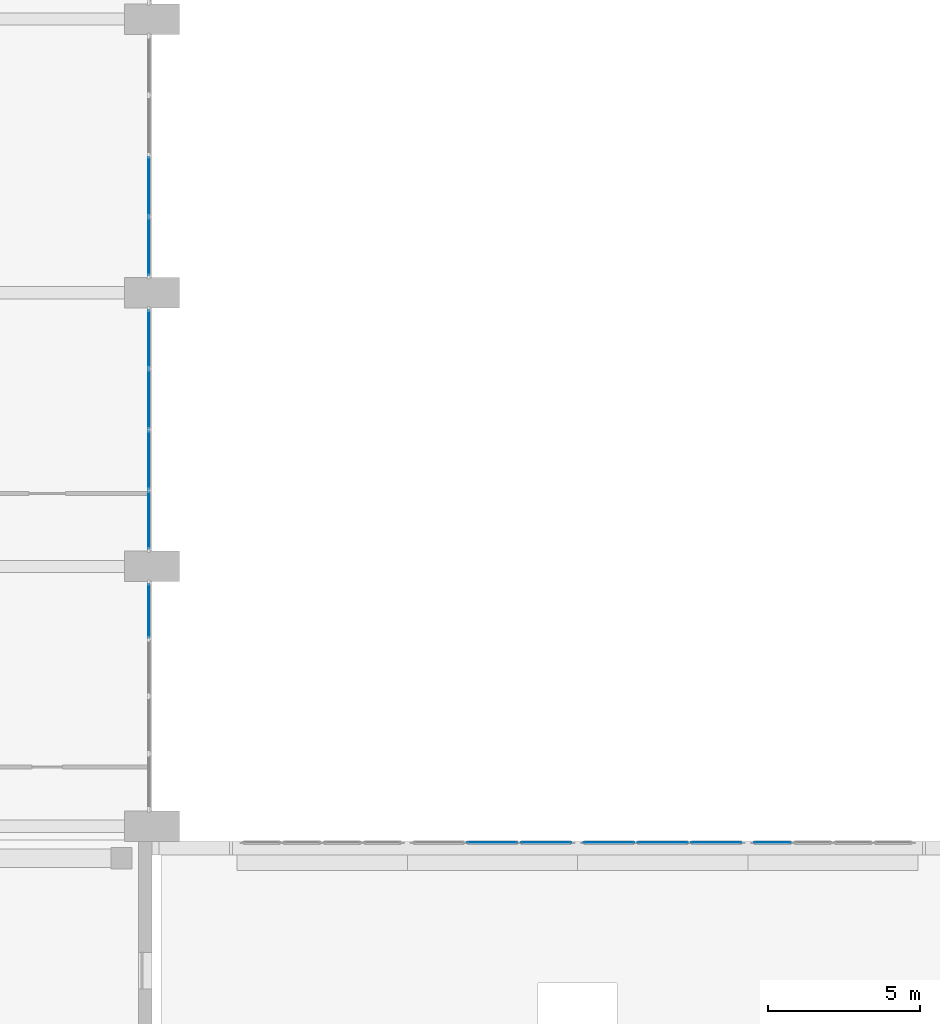
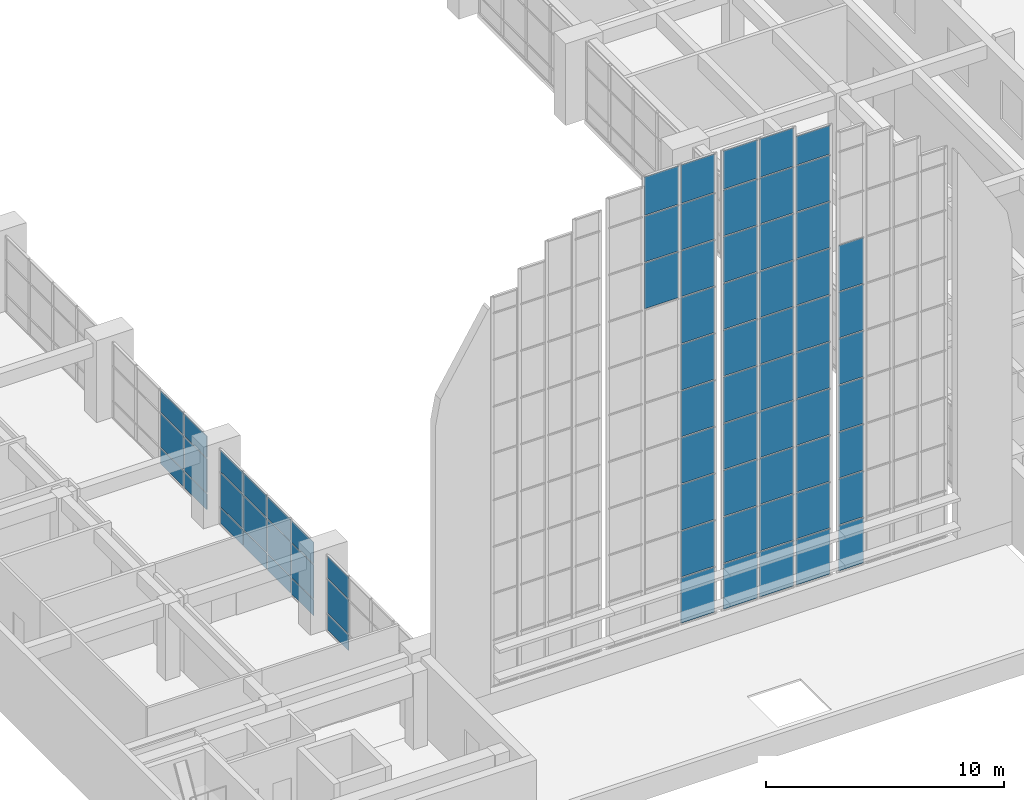
# One storey, part 19 of 45: 71 plates, 9 elements without a shape of their own.
"""IFC4 building model written with IfcOpenShell, lengths in metres."""

from ifc_helpers import new_model, si_unit, direction, frame, origin, origin_2d, place, context, subcontext, project, spatial, rectangle, extrude, material, layer, layer_set, type_object, element, aggregate, save


model = new_model("IFC4")

# Units and contexts
model_context = context("Model", 3, precision=1e-05, world=origin(), true_north=direction((0.0, 1.0)))
body_context = subcontext(model_context, "Body", "Model", "MODEL_VIEW")
ifc_project = project(units=[si_unit("LENGTHUNIT", "METRE"), si_unit("AREAUNIT", "SQUARE_METRE"), si_unit("VOLUMEUNIT", "CUBIC_METRE"), si_unit("PLANEANGLEUNIT", "RADIAN"), si_unit("MASSUNIT", "GRAM", prefix="KILO")], contexts=[model_context])

# Site, building, storey
site_placement = place(None, origin())
site = spatial("IfcSite", under=ifc_project, at=site_placement, CompositionType="ELEMENT")
building_placement = place(site_placement, origin())
building = spatial("IfcBuilding", under=site, at=building_placement, Name="Elmora Arch Market Hall", CompositionType="ELEMENT")
storey_placement = place(building_placement, frame((0.0, 0.0, 6.0)))
storey = spatial("IfcBuildingStorey", under=building, at=storey_placement, Name="L01", CompositionType="ELEMENT", Elevation=6.0)

# Curtain wall, plates
ifc_material_1 = material(Name="Aluminium", Category="aluminium")
curtain_wall_type_1 = type_object("IfcCurtainWallType", Name="Hall front curtain wall", PredefinedType="NOTDEFINED", material=ifc_material_1)
curtain_wall_1_placement = place(storey_placement, origin())
curtain_wall_1 = element("IfcCurtainWall", 1, at=curtain_wall_1_placement, inside=storey, type_object=curtain_wall_type_1, Name="Wing front W L01 1", PredefinedType="NOTDEFINED")
ifc_material_2 = material(Name="Glass", Category="glass")
ifc_layer = layer(ifc_material_2, 0.028076171875)
ifc_layer_set = layer_set([ifc_layer], Name="Glass")
plate_type = type_object("IfcPlateType", Name="Glass panel 28", PredefinedType="CURTAIN_PANEL", material=ifc_layer_set)
plate_1_placement = place(storey_placement, frame((14.89990234375, 34.5361328125, 0.06005859375), z_axis=(0.0, 0.0, 1.0), x_axis=(0.0, 1.0, 0.0)))
plate_1 = element("IfcPlate", 2, at=plate_1_placement, type_object=plate_type, Name="CW2 panel 4.1", PredefinedType="CURTAIN_PANEL", context=body_context, shape_type="SweptSolid", body=[
    extrude(rectangle(XDim=1.767578125, YDim=0.028076171875, at=origin_2d()), origin(), (0.0, 0.0, 1.0), 0.81005859375),
])
plate_2_placement = place(storey_placement, frame((14.89990234375, 34.5361328125, 0.93017578125), z_axis=(0.0, 0.0, 1.0), x_axis=(0.0, 1.0, 0.0)))
plate_2 = element("IfcPlate", 3, at=plate_2_placement, type_object=plate_type, Name="CW2 panel 4.2", PredefinedType="CURTAIN_PANEL", context=body_context, shape_type="SweptSolid", body=[
    extrude(rectangle(XDim=1.767578125, YDim=0.028076171875, at=origin_2d()), origin(), (0.0, 0.0, 1.0), 1.739990234375),
])
plate_3_placement = place(storey_placement, frame((14.89990234375, 34.5361328125, 2.72998046875), z_axis=(0.0, 0.0, 1.0), x_axis=(0.0, 1.0, 0.0)))
plate_3 = element("IfcPlate", 4, at=plate_3_placement, type_object=plate_type, Name="CW2 panel 4.3", PredefinedType="CURTAIN_PANEL", context=body_context, shape_type="SweptSolid", body=[
    extrude(rectangle(XDim=1.767578125, YDim=0.028076171875, at=origin_2d()), origin(), (0.0, 0.0, 1.0), 1.110107421875),
])
aggregate(curtain_wall_1, [plate_1, plate_2, plate_3])

curtain_wall_2_placement = place(storey_placement, origin())
curtain_wall_2 = element("IfcCurtainWall", 5, at=curtain_wall_2_placement, inside=storey, type_object=curtain_wall_type_1, Name="Wing front W L01 2", PredefinedType="NOTDEFINED")
plate_4_placement = place(storey_placement, frame((14.89990234375, 37.52001953125, 0.06005859375), z_axis=(0.0, 0.0, 1.0), x_axis=(0.0, 1.0, 0.0)))
plate_4 = element("IfcPlate", 6, at=plate_4_placement, type_object=plate_type, Name="CW2 panel 1.1", PredefinedType="CURTAIN_PANEL", context=body_context, shape_type="SweptSolid", body=[
    extrude(rectangle(XDim=1.8798828125, YDim=0.028076171875, at=origin_2d()), origin(), (0.0, 0.0, 1.0), 0.81005859375),
])
plate_5_placement = place(storey_placement, frame((14.89990234375, 37.52001953125, 0.93017578125), z_axis=(0.0, 0.0, 1.0), x_axis=(0.0, 1.0, 0.0)))
plate_5 = element("IfcPlate", 7, at=plate_5_placement, type_object=plate_type, Name="CW2 panel 1.2", PredefinedType="CURTAIN_PANEL", context=body_context, shape_type="SweptSolid", body=[
    extrude(rectangle(XDim=1.8798828125, YDim=0.028076171875, at=origin_2d()), origin(), (0.0, 0.0, 1.0), 1.739990234375),
])
plate_6_placement = place(storey_placement, frame((14.89990234375, 37.52001953125, 2.72998046875), z_axis=(0.0, 0.0, 1.0), x_axis=(0.0, 1.0, 0.0)))
plate_6 = element("IfcPlate", 8, at=plate_6_placement, type_object=plate_type, Name="CW2 panel 1.3", PredefinedType="CURTAIN_PANEL", context=body_context, shape_type="SweptSolid", body=[
    extrude(rectangle(XDim=1.8798828125, YDim=0.028076171875, at=origin_2d()), origin(), (0.0, 0.0, 1.0), 1.110107421875),
])
plate_7_placement = place(storey_placement, frame((14.89990234375, 39.5, 0.06005859375), z_axis=(0.0, 0.0, 1.0), x_axis=(0.0, 1.0, 0.0)))
plate_7 = element("IfcPlate", 9, at=plate_7_placement, type_object=plate_type, Name="CW2 panel 2.1", PredefinedType="CURTAIN_PANEL", context=body_context, shape_type="SweptSolid", body=[
    extrude(rectangle(XDim=1.919921875, YDim=0.028076171875, at=origin_2d()), origin(), (0.0, 0.0, 1.0), 0.81005859375),
])
plate_8_placement = place(storey_placement, frame((14.89990234375, 39.5, 0.93017578125), z_axis=(0.0, 0.0, 1.0), x_axis=(0.0, 1.0, 0.0)))
plate_8 = element("IfcPlate", 10, at=plate_8_placement, type_object=plate_type, Name="CW2 panel 2.2", PredefinedType="CURTAIN_PANEL", context=body_context, shape_type="SweptSolid", body=[
    extrude(rectangle(XDim=1.919921875, YDim=0.028076171875, at=origin_2d()), origin(), (0.0, 0.0, 1.0), 1.739990234375),
])
plate_9_placement = place(storey_placement, frame((14.89990234375, 39.5, 2.72998046875), z_axis=(0.0, 0.0, 1.0), x_axis=(0.0, 1.0, 0.0)))
plate_9 = element("IfcPlate", 11, at=plate_9_placement, type_object=plate_type, Name="CW2 panel 2.3", PredefinedType="CURTAIN_PANEL", context=body_context, shape_type="SweptSolid", body=[
    extrude(rectangle(XDim=1.919921875, YDim=0.028076171875, at=origin_2d()), origin(), (0.0, 0.0, 1.0), 1.110107421875),
])
plate_10_placement = place(storey_placement, frame((14.89990234375, 41.5, 0.06005859375), z_axis=(0.0, 0.0, 1.0), x_axis=(0.0, 1.0, 0.0)))
plate_10 = element("IfcPlate", 12, at=plate_10_placement, type_object=plate_type, Name="CW2 panel 3.1", PredefinedType="CURTAIN_PANEL", context=body_context, shape_type="SweptSolid", body=[
    extrude(rectangle(XDim=1.919921875, YDim=0.028076171875, at=origin_2d()), origin(), (0.0, 0.0, 1.0), 0.81005859375),
])
plate_11_placement = place(storey_placement, frame((14.89990234375, 41.5, 0.93017578125), z_axis=(0.0, 0.0, 1.0), x_axis=(0.0, 1.0, 0.0)))
plate_11 = element("IfcPlate", 13, at=plate_11_placement, type_object=plate_type, Name="CW2 panel 3.2", PredefinedType="CURTAIN_PANEL", context=body_context, shape_type="SweptSolid", body=[
    extrude(rectangle(XDim=1.919921875, YDim=0.028076171875, at=origin_2d()), origin(), (0.0, 0.0, 1.0), 1.739990234375),
])
plate_12_placement = place(storey_placement, frame((14.89990234375, 41.5, 2.72998046875), z_axis=(0.0, 0.0, 1.0), x_axis=(0.0, 1.0, 0.0)))
plate_12 = element("IfcPlate", 14, at=plate_12_placement, type_object=plate_type, Name="CW2 panel 3.3", PredefinedType="CURTAIN_PANEL", context=body_context, shape_type="SweptSolid", body=[
    extrude(rectangle(XDim=1.919921875, YDim=0.028076171875, at=origin_2d()), origin(), (0.0, 0.0, 1.0), 1.110107421875),
])
plate_13_placement = place(storey_placement, frame((14.89990234375, 43.47998046875, 0.06005859375), z_axis=(0.0, 0.0, 1.0), x_axis=(0.0, 1.0, 0.0)))
plate_13 = element("IfcPlate", 15, at=plate_13_placement, type_object=plate_type, Name="CW2 panel 4.1", PredefinedType="CURTAIN_PANEL", context=body_context, shape_type="SweptSolid", body=[
    extrude(rectangle(XDim=1.8798828125, YDim=0.028076171875, at=origin_2d()), origin(), (0.0, 0.0, 1.0), 0.81005859375),
])
plate_14_placement = place(storey_placement, frame((14.89990234375, 43.47998046875, 0.93017578125), z_axis=(0.0, 0.0, 1.0), x_axis=(0.0, 1.0, 0.0)))
plate_14 = element("IfcPlate", 16, at=plate_14_placement, type_object=plate_type, Name="CW2 panel 4.2", PredefinedType="CURTAIN_PANEL", context=body_context, shape_type="SweptSolid", body=[
    extrude(rectangle(XDim=1.8798828125, YDim=0.028076171875, at=origin_2d()), origin(), (0.0, 0.0, 1.0), 1.739990234375),
])
plate_15_placement = place(storey_placement, frame((14.89990234375, 43.47998046875, 2.72998046875), z_axis=(0.0, 0.0, 1.0), x_axis=(0.0, 1.0, 0.0)))
plate_15 = element("IfcPlate", 17, at=plate_15_placement, type_object=plate_type, Name="CW2 panel 4.3", PredefinedType="CURTAIN_PANEL", context=body_context, shape_type="SweptSolid", body=[
    extrude(rectangle(XDim=1.8798828125, YDim=0.028076171875, at=origin_2d()), origin(), (0.0, 0.0, 1.0), 1.110107421875),
])
aggregate(curtain_wall_2, [plate_4, plate_5, plate_6, plate_7, plate_8, plate_9, plate_10, plate_11, plate_12, plate_13, plate_14, plate_15])

curtain_wall_3_placement = place(storey_placement, origin())
curtain_wall_3 = element("IfcCurtainWall", 18, at=curtain_wall_3_placement, inside=storey, type_object=curtain_wall_type_1, Name="Wing front W L01 3", PredefinedType="NOTDEFINED")
plate_16_placement = place(storey_placement, frame((14.89990234375, 46.52001953125, 0.06005859375), z_axis=(0.0, 0.0, 1.0), x_axis=(0.0, 1.0, 0.0)))
plate_16 = element("IfcPlate", 19, at=plate_16_placement, type_object=plate_type, Name="CW2 panel 1.1", PredefinedType="CURTAIN_PANEL", context=body_context, shape_type="SweptSolid", body=[
    extrude(rectangle(XDim=1.8798828125, YDim=0.028076171875, at=origin_2d()), origin(), (0.0, 0.0, 1.0), 0.81005859375),
])
plate_17_placement = place(storey_placement, frame((14.89990234375, 46.52001953125, 0.93017578125), z_axis=(0.0, 0.0, 1.0), x_axis=(0.0, 1.0, 0.0)))
plate_17 = element("IfcPlate", 20, at=plate_17_placement, type_object=plate_type, Name="CW2 panel 1.2", PredefinedType="CURTAIN_PANEL", context=body_context, shape_type="SweptSolid", body=[
    extrude(rectangle(XDim=1.8798828125, YDim=0.028076171875, at=origin_2d()), origin(), (0.0, 0.0, 1.0), 1.739990234375),
])
plate_18_placement = place(storey_placement, frame((14.89990234375, 46.52001953125, 2.72998046875), z_axis=(0.0, 0.0, 1.0), x_axis=(0.0, 1.0, 0.0)))
plate_18 = element("IfcPlate", 21, at=plate_18_placement, type_object=plate_type, Name="CW2 panel 1.3", PredefinedType="CURTAIN_PANEL", context=body_context, shape_type="SweptSolid", body=[
    extrude(rectangle(XDim=1.8798828125, YDim=0.028076171875, at=origin_2d()), origin(), (0.0, 0.0, 1.0), 1.110107421875),
])
plate_19_placement = place(storey_placement, frame((14.89990234375, 48.5, 0.06005859375), z_axis=(0.0, 0.0, 1.0), x_axis=(0.0, 1.0, 0.0)))
plate_19 = element("IfcPlate", 22, at=plate_19_placement, type_object=plate_type, Name="CW2 panel 2.1", PredefinedType="CURTAIN_PANEL", context=body_context, shape_type="SweptSolid", body=[
    extrude(rectangle(XDim=1.919921875, YDim=0.028076171875, at=origin_2d()), origin(), (0.0, 0.0, 1.0), 0.81005859375),
])
plate_20_placement = place(storey_placement, frame((14.89990234375, 48.5, 0.93017578125), z_axis=(0.0, 0.0, 1.0), x_axis=(0.0, 1.0, 0.0)))
plate_20 = element("IfcPlate", 23, at=plate_20_placement, type_object=plate_type, Name="CW2 panel 2.2", PredefinedType="CURTAIN_PANEL", context=body_context, shape_type="SweptSolid", body=[
    extrude(rectangle(XDim=1.919921875, YDim=0.028076171875, at=origin_2d()), origin(), (0.0, 0.0, 1.0), 1.739990234375),
])
plate_21_placement = place(storey_placement, frame((14.89990234375, 48.5, 2.72998046875), z_axis=(0.0, 0.0, 1.0), x_axis=(0.0, 1.0, 0.0)))
plate_21 = element("IfcPlate", 24, at=plate_21_placement, type_object=plate_type, Name="CW2 panel 2.3", PredefinedType="CURTAIN_PANEL", context=body_context, shape_type="SweptSolid", body=[
    extrude(rectangle(XDim=1.919921875, YDim=0.028076171875, at=origin_2d()), origin(), (0.0, 0.0, 1.0), 1.110107421875),
])
aggregate(curtain_wall_3, [plate_16, plate_17, plate_18, plate_19, plate_20, plate_21])

ifc_material_3 = material(Name="Aluminium", Category="aluminium")
curtain_wall_type_2 = type_object("IfcCurtainWallType", Name="Gable curtain wall", PredefinedType="NOTDEFINED", material=ifc_material_3)
curtain_wall_4_placement = place(storey_placement, origin())
curtain_wall_4 = element("IfcCurtainWall", 25, at=curtain_wall_4_placement, inside=storey, type_object=curtain_wall_type_2, Name="South gable glazing 6", PredefinedType="NOTDEFINED")
plate_22_placement = place(storey_placement, frame((26.199951171875, 26.919921875, 18.02978515625), z_axis=(0.0, 0.0, 1.0), x_axis=(1.0, 0.0, 0.0)))
plate_22 = element("IfcPlate", 26, at=plate_22_placement, type_object=plate_type, Name="CW8 panel 1.8", PredefinedType="CURTAIN_PANEL", context=body_context, shape_type="SweptSolid", body=[
    extrude(rectangle(XDim=1.646728515625, YDim=0.028076171875, at=origin_2d()), origin(), (0.0, 0.0, 1.0), 2.340087890625),
])
plate_23_placement = place(storey_placement, frame((26.199951171875, 26.919921875, 20.43017578125), z_axis=(0.0, 0.0, 1.0), x_axis=(1.0, 0.0, 0.0)))
plate_23 = element("IfcPlate", 27, at=plate_23_placement, type_object=plate_type, Name="CW8 panel 1.9", PredefinedType="CURTAIN_PANEL", context=body_context, shape_type="SweptSolid", body=[
    extrude(rectangle(XDim=1.646728515625, YDim=0.028076171875, at=origin_2d()), origin(), (0.0, 0.0, 1.0), 2.340087890625),
])
plate_24_placement = place(storey_placement, frame((26.199951171875, 26.919921875, 22.830078125), z_axis=(0.0, 0.0, 1.0), x_axis=(1.0, 0.0, 0.0)))
plate_24 = element("IfcPlate", 28, at=plate_24_placement, type_object=plate_type, Name="CW8 panel 1.10", PredefinedType="CURTAIN_PANEL", context=body_context, shape_type="SweptSolid", body=[
    extrude(rectangle(XDim=1.646728515625, YDim=0.028076171875, at=origin_2d()), origin(), (0.0, 0.0, 1.0), 1.9599609375),
])
aggregate(curtain_wall_4, [plate_22, plate_23, plate_24])

curtain_wall_5_placement = place(storey_placement, origin())
curtain_wall_5 = element("IfcCurtainWall", 29, at=curtain_wall_5_placement, inside=storey, type_object=curtain_wall_type_2, Name="South gable glazing 7", PredefinedType="NOTDEFINED")
plate_25_placement = place(storey_placement, frame((27.966552734375, 26.919921875, 1.260009765625), z_axis=(0.0, 0.0, 1.0), x_axis=(1.0, 0.0, 0.0)))
plate_25 = element("IfcPlate", 30, at=plate_25_placement, type_object=plate_type, Name="CW8 panel 1.1", PredefinedType="CURTAIN_PANEL", context=body_context, shape_type="SweptSolid", body=[
    extrude(rectangle(XDim=1.646728515625, YDim=0.028076171875, at=origin_2d()), origin(), (0.0, 0.0, 1.0), 2.31005859375),
])
plate_26_placement = place(storey_placement, frame((27.966552734375, 26.919921875, 3.6298828125), z_axis=(0.0, 0.0, 1.0), x_axis=(1.0, 0.0, 0.0)))
plate_26 = element("IfcPlate", 31, at=plate_26_placement, type_object=plate_type, Name="CW8 panel 1.2", PredefinedType="CURTAIN_PANEL", context=body_context, shape_type="SweptSolid", body=[
    extrude(rectangle(XDim=1.646728515625, YDim=0.028076171875, at=origin_2d()), origin(), (0.0, 0.0, 1.0), 2.340087890625),
])
plate_27_placement = place(storey_placement, frame((27.966552734375, 26.919921875, 6.02978515625), z_axis=(0.0, 0.0, 1.0), x_axis=(1.0, 0.0, 0.0)))
plate_27 = element("IfcPlate", 32, at=plate_27_placement, type_object=plate_type, Name="CW8 panel 1.3", PredefinedType="CURTAIN_PANEL", context=body_context, shape_type="SweptSolid", body=[
    extrude(rectangle(XDim=1.646728515625, YDim=0.028076171875, at=origin_2d()), origin(), (0.0, 0.0, 1.0), 2.340087890625),
])
plate_28_placement = place(storey_placement, frame((27.966552734375, 26.919921875, 8.43017578125), z_axis=(0.0, 0.0, 1.0), x_axis=(1.0, 0.0, 0.0)))
plate_28 = element("IfcPlate", 33, at=plate_28_placement, type_object=plate_type, Name="CW8 panel 1.4", PredefinedType="CURTAIN_PANEL", context=body_context, shape_type="SweptSolid", body=[
    extrude(rectangle(XDim=1.646728515625, YDim=0.028076171875, at=origin_2d()), origin(), (0.0, 0.0, 1.0), 2.340087890625),
])
plate_29_placement = place(storey_placement, frame((27.966552734375, 26.919921875, 10.830078125), z_axis=(0.0, 0.0, 1.0), x_axis=(1.0, 0.0, 0.0)))
plate_29 = element("IfcPlate", 34, at=plate_29_placement, type_object=plate_type, Name="CW8 panel 1.5", PredefinedType="CURTAIN_PANEL", context=body_context, shape_type="SweptSolid", body=[
    extrude(rectangle(XDim=1.646728515625, YDim=0.028076171875, at=origin_2d()), origin(), (0.0, 0.0, 1.0), 2.340087890625),
])
plate_30_placement = place(storey_placement, frame((27.966552734375, 26.919921875, 13.22998046875), z_axis=(0.0, 0.0, 1.0), x_axis=(1.0, 0.0, 0.0)))
plate_30 = element("IfcPlate", 35, at=plate_30_placement, type_object=plate_type, Name="CW8 panel 1.6", PredefinedType="CURTAIN_PANEL", context=body_context, shape_type="SweptSolid", body=[
    extrude(rectangle(XDim=1.646728515625, YDim=0.028076171875, at=origin_2d()), origin(), (0.0, 0.0, 1.0), 2.340087890625),
])
plate_31_placement = place(storey_placement, frame((27.966552734375, 26.919921875, 15.6298828125), z_axis=(0.0, 0.0, 1.0), x_axis=(1.0, 0.0, 0.0)))
plate_31 = element("IfcPlate", 36, at=plate_31_placement, type_object=plate_type, Name="CW8 panel 1.7", PredefinedType="CURTAIN_PANEL", context=body_context, shape_type="SweptSolid", body=[
    extrude(rectangle(XDim=1.646728515625, YDim=0.028076171875, at=origin_2d()), origin(), (0.0, 0.0, 1.0), 2.340087890625),
])
plate_32_placement = place(storey_placement, frame((27.966552734375, 26.919921875, 18.02978515625), z_axis=(0.0, 0.0, 1.0), x_axis=(1.0, 0.0, 0.0)))
plate_32 = element("IfcPlate", 37, at=plate_32_placement, type_object=plate_type, Name="CW8 panel 1.8", PredefinedType="CURTAIN_PANEL", context=body_context, shape_type="SweptSolid", body=[
    extrude(rectangle(XDim=1.646728515625, YDim=0.028076171875, at=origin_2d()), origin(), (0.0, 0.0, 1.0), 2.340087890625),
])
plate_33_placement = place(storey_placement, frame((27.966552734375, 26.919921875, 20.43017578125), z_axis=(0.0, 0.0, 1.0), x_axis=(1.0, 0.0, 0.0)))
plate_33 = element("IfcPlate", 38, at=plate_33_placement, type_object=plate_type, Name="CW8 panel 1.9", PredefinedType="CURTAIN_PANEL", context=body_context, shape_type="SweptSolid", body=[
    extrude(rectangle(XDim=1.646728515625, YDim=0.028076171875, at=origin_2d()), origin(), (0.0, 0.0, 1.0), 2.340087890625),
])
plate_34_placement = place(storey_placement, frame((27.966552734375, 26.919921875, 22.830078125), z_axis=(0.0, 0.0, 1.0), x_axis=(1.0, 0.0, 0.0)))
plate_34 = element("IfcPlate", 39, at=plate_34_placement, type_object=plate_type, Name="CW8 panel 1.10", PredefinedType="CURTAIN_PANEL", context=body_context, shape_type="SweptSolid", body=[
    extrude(rectangle(XDim=1.646728515625, YDim=0.028076171875, at=origin_2d()), origin(), (0.0, 0.0, 1.0), 1.9599609375),
])
aggregate(curtain_wall_5, [plate_25, plate_26, plate_27, plate_28, plate_29, plate_30, plate_31, plate_32, plate_33, plate_34])

curtain_wall_6_placement = place(storey_placement, origin())
curtain_wall_6 = element("IfcCurtainWall", 40, at=curtain_wall_6_placement, inside=storey, type_object=curtain_wall_type_2, Name="South gable glazing 8", PredefinedType="NOTDEFINED")
plate_35_placement = place(storey_placement, frame((30.033447265625, 26.919921875, 1.260009765625), z_axis=(0.0, 0.0, 1.0), x_axis=(1.0, 0.0, 0.0)))
plate_35 = element("IfcPlate", 41, at=plate_35_placement, type_object=plate_type, Name="CW8 panel 1.1", PredefinedType="CURTAIN_PANEL", context=body_context, shape_type="SweptSolid", body=[
    extrude(rectangle(XDim=1.646728515625, YDim=0.028076171875, at=origin_2d()), origin(), (0.0, 0.0, 1.0), 2.31005859375),
])
plate_36_placement = place(storey_placement, frame((30.033447265625, 26.919921875, 3.6298828125), z_axis=(0.0, 0.0, 1.0), x_axis=(1.0, 0.0, 0.0)))
plate_36 = element("IfcPlate", 42, at=plate_36_placement, type_object=plate_type, Name="CW8 panel 1.2", PredefinedType="CURTAIN_PANEL", context=body_context, shape_type="SweptSolid", body=[
    extrude(rectangle(XDim=1.646728515625, YDim=0.028076171875, at=origin_2d()), origin(), (0.0, 0.0, 1.0), 2.340087890625),
])
plate_37_placement = place(storey_placement, frame((30.033447265625, 26.919921875, 6.02978515625), z_axis=(0.0, 0.0, 1.0), x_axis=(1.0, 0.0, 0.0)))
plate_37 = element("IfcPlate", 43, at=plate_37_placement, type_object=plate_type, Name="CW8 panel 1.3", PredefinedType="CURTAIN_PANEL", context=body_context, shape_type="SweptSolid", body=[
    extrude(rectangle(XDim=1.646728515625, YDim=0.028076171875, at=origin_2d()), origin(), (0.0, 0.0, 1.0), 2.340087890625),
])
plate_38_placement = place(storey_placement, frame((30.033447265625, 26.919921875, 8.43017578125), z_axis=(0.0, 0.0, 1.0), x_axis=(1.0, 0.0, 0.0)))
plate_38 = element("IfcPlate", 44, at=plate_38_placement, type_object=plate_type, Name="CW8 panel 1.4", PredefinedType="CURTAIN_PANEL", context=body_context, shape_type="SweptSolid", body=[
    extrude(rectangle(XDim=1.646728515625, YDim=0.028076171875, at=origin_2d()), origin(), (0.0, 0.0, 1.0), 2.340087890625),
])
plate_39_placement = place(storey_placement, frame((30.033447265625, 26.919921875, 10.830078125), z_axis=(0.0, 0.0, 1.0), x_axis=(1.0, 0.0, 0.0)))
plate_39 = element("IfcPlate", 45, at=plate_39_placement, type_object=plate_type, Name="CW8 panel 1.5", PredefinedType="CURTAIN_PANEL", context=body_context, shape_type="SweptSolid", body=[
    extrude(rectangle(XDim=1.646728515625, YDim=0.028076171875, at=origin_2d()), origin(), (0.0, 0.0, 1.0), 2.340087890625),
])
plate_40_placement = place(storey_placement, frame((30.033447265625, 26.919921875, 13.22998046875), z_axis=(0.0, 0.0, 1.0), x_axis=(1.0, 0.0, 0.0)))
plate_40 = element("IfcPlate", 46, at=plate_40_placement, type_object=plate_type, Name="CW8 panel 1.6", PredefinedType="CURTAIN_PANEL", context=body_context, shape_type="SweptSolid", body=[
    extrude(rectangle(XDim=1.646728515625, YDim=0.028076171875, at=origin_2d()), origin(), (0.0, 0.0, 1.0), 2.340087890625),
])
plate_41_placement = place(storey_placement, frame((30.033447265625, 26.919921875, 15.6298828125), z_axis=(0.0, 0.0, 1.0), x_axis=(1.0, 0.0, 0.0)))
plate_41 = element("IfcPlate", 47, at=plate_41_placement, type_object=plate_type, Name="CW8 panel 1.7", PredefinedType="CURTAIN_PANEL", context=body_context, shape_type="SweptSolid", body=[
    extrude(rectangle(XDim=1.646728515625, YDim=0.028076171875, at=origin_2d()), origin(), (0.0, 0.0, 1.0), 2.340087890625),
])
plate_42_placement = place(storey_placement, frame((30.033447265625, 26.919921875, 18.02978515625), z_axis=(0.0, 0.0, 1.0), x_axis=(1.0, 0.0, 0.0)))
plate_42 = element("IfcPlate", 48, at=plate_42_placement, type_object=plate_type, Name="CW8 panel 1.8", PredefinedType="CURTAIN_PANEL", context=body_context, shape_type="SweptSolid", body=[
    extrude(rectangle(XDim=1.646728515625, YDim=0.028076171875, at=origin_2d()), origin(), (0.0, 0.0, 1.0), 2.340087890625),
])
plate_43_placement = place(storey_placement, frame((30.033447265625, 26.919921875, 20.43017578125), z_axis=(0.0, 0.0, 1.0), x_axis=(1.0, 0.0, 0.0)))
plate_43 = element("IfcPlate", 49, at=plate_43_placement, type_object=plate_type, Name="CW8 panel 1.9", PredefinedType="CURTAIN_PANEL", context=body_context, shape_type="SweptSolid", body=[
    extrude(rectangle(XDim=1.646728515625, YDim=0.028076171875, at=origin_2d()), origin(), (0.0, 0.0, 1.0), 2.340087890625),
])
plate_44_placement = place(storey_placement, frame((30.033447265625, 26.919921875, 22.830078125), z_axis=(0.0, 0.0, 1.0), x_axis=(1.0, 0.0, 0.0)))
plate_44 = element("IfcPlate", 50, at=plate_44_placement, type_object=plate_type, Name="CW8 panel 1.10", PredefinedType="CURTAIN_PANEL", context=body_context, shape_type="SweptSolid", body=[
    extrude(rectangle(XDim=1.646728515625, YDim=0.028076171875, at=origin_2d()), origin(), (0.0, 0.0, 1.0), 1.9599609375),
])
aggregate(curtain_wall_6, [plate_35, plate_36, plate_37, plate_38, plate_39, plate_40, plate_41, plate_42, plate_43, plate_44])

curtain_wall_7_placement = place(storey_placement, origin())
curtain_wall_7 = element("IfcCurtainWall", 51, at=curtain_wall_7_placement, inside=storey, type_object=curtain_wall_type_2, Name="South gable glazing 9", PredefinedType="NOTDEFINED")
plate_45_placement = place(storey_placement, frame((31.800048828125, 26.919921875, 1.260009765625), z_axis=(0.0, 0.0, 1.0), x_axis=(1.0, 0.0, 0.0)))
plate_45 = element("IfcPlate", 52, at=plate_45_placement, type_object=plate_type, Name="CW8 panel 1.1", PredefinedType="CURTAIN_PANEL", context=body_context, shape_type="SweptSolid", body=[
    extrude(rectangle(XDim=1.646728515625, YDim=0.028076171875, at=origin_2d()), origin(), (0.0, 0.0, 1.0), 2.31005859375),
])
plate_46_placement = place(storey_placement, frame((31.800048828125, 26.919921875, 3.6298828125), z_axis=(0.0, 0.0, 1.0), x_axis=(1.0, 0.0, 0.0)))
plate_46 = element("IfcPlate", 53, at=plate_46_placement, type_object=plate_type, Name="CW8 panel 1.2", PredefinedType="CURTAIN_PANEL", context=body_context, shape_type="SweptSolid", body=[
    extrude(rectangle(XDim=1.646728515625, YDim=0.028076171875, at=origin_2d()), origin(), (0.0, 0.0, 1.0), 2.340087890625),
])
plate_47_placement = place(storey_placement, frame((31.800048828125, 26.919921875, 6.02978515625), z_axis=(0.0, 0.0, 1.0), x_axis=(1.0, 0.0, 0.0)))
plate_47 = element("IfcPlate", 54, at=plate_47_placement, type_object=plate_type, Name="CW8 panel 1.3", PredefinedType="CURTAIN_PANEL", context=body_context, shape_type="SweptSolid", body=[
    extrude(rectangle(XDim=1.646728515625, YDim=0.028076171875, at=origin_2d()), origin(), (0.0, 0.0, 1.0), 2.340087890625),
])
plate_48_placement = place(storey_placement, frame((31.800048828125, 26.919921875, 8.43017578125), z_axis=(0.0, 0.0, 1.0), x_axis=(1.0, 0.0, 0.0)))
plate_48 = element("IfcPlate", 55, at=plate_48_placement, type_object=plate_type, Name="CW8 panel 1.4", PredefinedType="CURTAIN_PANEL", context=body_context, shape_type="SweptSolid", body=[
    extrude(rectangle(XDim=1.646728515625, YDim=0.028076171875, at=origin_2d()), origin(), (0.0, 0.0, 1.0), 2.340087890625),
])
plate_49_placement = place(storey_placement, frame((31.800048828125, 26.919921875, 10.830078125), z_axis=(0.0, 0.0, 1.0), x_axis=(1.0, 0.0, 0.0)))
plate_49 = element("IfcPlate", 56, at=plate_49_placement, type_object=plate_type, Name="CW8 panel 1.5", PredefinedType="CURTAIN_PANEL", context=body_context, shape_type="SweptSolid", body=[
    extrude(rectangle(XDim=1.646728515625, YDim=0.028076171875, at=origin_2d()), origin(), (0.0, 0.0, 1.0), 2.340087890625),
])
plate_50_placement = place(storey_placement, frame((31.800048828125, 26.919921875, 13.22998046875), z_axis=(0.0, 0.0, 1.0), x_axis=(1.0, 0.0, 0.0)))
plate_50 = element("IfcPlate", 57, at=plate_50_placement, type_object=plate_type, Name="CW8 panel 1.6", PredefinedType="CURTAIN_PANEL", context=body_context, shape_type="SweptSolid", body=[
    extrude(rectangle(XDim=1.646728515625, YDim=0.028076171875, at=origin_2d()), origin(), (0.0, 0.0, 1.0), 2.340087890625),
])
plate_51_placement = place(storey_placement, frame((31.800048828125, 26.919921875, 15.6298828125), z_axis=(0.0, 0.0, 1.0), x_axis=(1.0, 0.0, 0.0)))
plate_51 = element("IfcPlate", 58, at=plate_51_placement, type_object=plate_type, Name="CW8 panel 1.7", PredefinedType="CURTAIN_PANEL", context=body_context, shape_type="SweptSolid", body=[
    extrude(rectangle(XDim=1.646728515625, YDim=0.028076171875, at=origin_2d()), origin(), (0.0, 0.0, 1.0), 2.340087890625),
])
plate_52_placement = place(storey_placement, frame((31.800048828125, 26.919921875, 18.02978515625), z_axis=(0.0, 0.0, 1.0), x_axis=(1.0, 0.0, 0.0)))
plate_52 = element("IfcPlate", 59, at=plate_52_placement, type_object=plate_type, Name="CW8 panel 1.8", PredefinedType="CURTAIN_PANEL", context=body_context, shape_type="SweptSolid", body=[
    extrude(rectangle(XDim=1.646728515625, YDim=0.028076171875, at=origin_2d()), origin(), (0.0, 0.0, 1.0), 2.340087890625),
])
plate_53_placement = place(storey_placement, frame((31.800048828125, 26.919921875, 20.43017578125), z_axis=(0.0, 0.0, 1.0), x_axis=(1.0, 0.0, 0.0)))
plate_53 = element("IfcPlate", 60, at=plate_53_placement, type_object=plate_type, Name="CW8 panel 1.9", PredefinedType="CURTAIN_PANEL", context=body_context, shape_type="SweptSolid", body=[
    extrude(rectangle(XDim=1.646728515625, YDim=0.028076171875, at=origin_2d()), origin(), (0.0, 0.0, 1.0), 2.340087890625),
])
plate_54_placement = place(storey_placement, frame((31.800048828125, 26.919921875, 22.830078125), z_axis=(0.0, 0.0, 1.0), x_axis=(1.0, 0.0, 0.0)))
plate_54 = element("IfcPlate", 61, at=plate_54_placement, type_object=plate_type, Name="CW8 panel 1.10", PredefinedType="CURTAIN_PANEL", context=body_context, shape_type="SweptSolid", body=[
    extrude(rectangle(XDim=1.646728515625, YDim=0.028076171875, at=origin_2d()), origin(), (0.0, 0.0, 1.0), 1.9599609375),
])
aggregate(curtain_wall_7, [plate_45, plate_46, plate_47, plate_48, plate_49, plate_50, plate_51, plate_52, plate_53, plate_54])

curtain_wall_8_placement = place(storey_placement, origin())
curtain_wall_8 = element("IfcCurtainWall", 62, at=curtain_wall_8_placement, inside=storey, type_object=curtain_wall_type_2, Name="South gable glazing 10", PredefinedType="NOTDEFINED")
plate_55_placement = place(storey_placement, frame((33.566650390625, 26.919921875, 1.260009765625), z_axis=(0.0, 0.0, 1.0), x_axis=(1.0, 0.0, 0.0)))
plate_55 = element("IfcPlate", 63, at=plate_55_placement, type_object=plate_type, Name="CW8 panel 1.1", PredefinedType="CURTAIN_PANEL", context=body_context, shape_type="SweptSolid", body=[
    extrude(rectangle(XDim=1.646728515625, YDim=0.028076171875, at=origin_2d()), origin(), (0.0, 0.0, 1.0), 2.31005859375),
])
plate_56_placement = place(storey_placement, frame((33.566650390625, 26.919921875, 3.6298828125), z_axis=(0.0, 0.0, 1.0), x_axis=(1.0, 0.0, 0.0)))
plate_56 = element("IfcPlate", 64, at=plate_56_placement, type_object=plate_type, Name="CW8 panel 1.2", PredefinedType="CURTAIN_PANEL", context=body_context, shape_type="SweptSolid", body=[
    extrude(rectangle(XDim=1.646728515625, YDim=0.028076171875, at=origin_2d()), origin(), (0.0, 0.0, 1.0), 2.340087890625),
])
plate_57_placement = place(storey_placement, frame((33.566650390625, 26.919921875, 6.02978515625), z_axis=(0.0, 0.0, 1.0), x_axis=(1.0, 0.0, 0.0)))
plate_57 = element("IfcPlate", 65, at=plate_57_placement, type_object=plate_type, Name="CW8 panel 1.3", PredefinedType="CURTAIN_PANEL", context=body_context, shape_type="SweptSolid", body=[
    extrude(rectangle(XDim=1.646728515625, YDim=0.028076171875, at=origin_2d()), origin(), (0.0, 0.0, 1.0), 2.340087890625),
])
plate_58_placement = place(storey_placement, frame((33.566650390625, 26.919921875, 8.43017578125), z_axis=(0.0, 0.0, 1.0), x_axis=(1.0, 0.0, 0.0)))
plate_58 = element("IfcPlate", 66, at=plate_58_placement, type_object=plate_type, Name="CW8 panel 1.4", PredefinedType="CURTAIN_PANEL", context=body_context, shape_type="SweptSolid", body=[
    extrude(rectangle(XDim=1.646728515625, YDim=0.028076171875, at=origin_2d()), origin(), (0.0, 0.0, 1.0), 2.340087890625),
])
plate_59_placement = place(storey_placement, frame((33.566650390625, 26.919921875, 10.830078125), z_axis=(0.0, 0.0, 1.0), x_axis=(1.0, 0.0, 0.0)))
plate_59 = element("IfcPlate", 67, at=plate_59_placement, type_object=plate_type, Name="CW8 panel 1.5", PredefinedType="CURTAIN_PANEL", context=body_context, shape_type="SweptSolid", body=[
    extrude(rectangle(XDim=1.646728515625, YDim=0.028076171875, at=origin_2d()), origin(), (0.0, 0.0, 1.0), 2.340087890625),
])
plate_60_placement = place(storey_placement, frame((33.566650390625, 26.919921875, 13.22998046875), z_axis=(0.0, 0.0, 1.0), x_axis=(1.0, 0.0, 0.0)))
plate_60 = element("IfcPlate", 68, at=plate_60_placement, type_object=plate_type, Name="CW8 panel 1.6", PredefinedType="CURTAIN_PANEL", context=body_context, shape_type="SweptSolid", body=[
    extrude(rectangle(XDim=1.646728515625, YDim=0.028076171875, at=origin_2d()), origin(), (0.0, 0.0, 1.0), 2.340087890625),
])
plate_61_placement = place(storey_placement, frame((33.566650390625, 26.919921875, 15.6298828125), z_axis=(0.0, 0.0, 1.0), x_axis=(1.0, 0.0, 0.0)))
plate_61 = element("IfcPlate", 69, at=plate_61_placement, type_object=plate_type, Name="CW8 panel 1.7", PredefinedType="CURTAIN_PANEL", context=body_context, shape_type="SweptSolid", body=[
    extrude(rectangle(XDim=1.646728515625, YDim=0.028076171875, at=origin_2d()), origin(), (0.0, 0.0, 1.0), 2.340087890625),
])
plate_62_placement = place(storey_placement, frame((33.566650390625, 26.919921875, 18.02978515625), z_axis=(0.0, 0.0, 1.0), x_axis=(1.0, 0.0, 0.0)))
plate_62 = element("IfcPlate", 70, at=plate_62_placement, type_object=plate_type, Name="CW8 panel 1.8", PredefinedType="CURTAIN_PANEL", context=body_context, shape_type="SweptSolid", body=[
    extrude(rectangle(XDim=1.646728515625, YDim=0.028076171875, at=origin_2d()), origin(), (0.0, 0.0, 1.0), 2.340087890625),
])
plate_63_placement = place(storey_placement, frame((33.566650390625, 26.919921875, 20.43017578125), z_axis=(0.0, 0.0, 1.0), x_axis=(1.0, 0.0, 0.0)))
plate_63 = element("IfcPlate", 71, at=plate_63_placement, type_object=plate_type, Name="CW8 panel 1.9", PredefinedType="CURTAIN_PANEL", context=body_context, shape_type="SweptSolid", body=[
    extrude(rectangle(XDim=1.646728515625, YDim=0.028076171875, at=origin_2d()), origin(), (0.0, 0.0, 1.0), 2.340087890625),
])
plate_64_placement = place(storey_placement, frame((33.566650390625, 26.919921875, 22.830078125), z_axis=(0.0, 0.0, 1.0), x_axis=(1.0, 0.0, 0.0)))
plate_64 = element("IfcPlate", 72, at=plate_64_placement, type_object=plate_type, Name="CW8 panel 1.10", PredefinedType="CURTAIN_PANEL", context=body_context, shape_type="SweptSolid", body=[
    extrude(rectangle(XDim=1.646728515625, YDim=0.028076171875, at=origin_2d()), origin(), (0.0, 0.0, 1.0), 1.468017578125),
])
aggregate(curtain_wall_8, [plate_55, plate_56, plate_57, plate_58, plate_59, plate_60, plate_61, plate_62, plate_63, plate_64])

curtain_wall_9_placement = place(storey_placement, origin())
curtain_wall_9 = element("IfcCurtainWall", 73, at=curtain_wall_9_placement, inside=storey, type_object=curtain_wall_type_2, Name="South gable glazing 11", PredefinedType="NOTDEFINED")
plate_65_placement = place(storey_placement, frame((35.41259765625, 26.919921875, 1.260009765625), z_axis=(0.0, 0.0, 1.0), x_axis=(1.0, 0.0, 0.0)))
plate_65 = element("IfcPlate", 74, at=plate_65_placement, type_object=plate_type, Name="CW8 panel 1.1", PredefinedType="CURTAIN_PANEL", context=body_context, shape_type="SweptSolid", body=[
    extrude(rectangle(XDim=1.205078125, YDim=0.028076171875, at=origin_2d()), origin(), (0.0, 0.0, 1.0), 2.31005859375),
])
plate_66_placement = place(storey_placement, frame((35.41259765625, 26.919921875, 3.6298828125), z_axis=(0.0, 0.0, 1.0), x_axis=(1.0, 0.0, 0.0)))
plate_66 = element("IfcPlate", 75, at=plate_66_placement, type_object=plate_type, Name="CW8 panel 1.2", PredefinedType="CURTAIN_PANEL", context=body_context, shape_type="SweptSolid", body=[
    extrude(rectangle(XDim=1.205078125, YDim=0.028076171875, at=origin_2d()), origin(), (0.0, 0.0, 1.0), 2.340087890625),
])
plate_67_placement = place(storey_placement, frame((35.41259765625, 26.919921875, 6.02978515625), z_axis=(0.0, 0.0, 1.0), x_axis=(1.0, 0.0, 0.0)))
plate_67 = element("IfcPlate", 76, at=plate_67_placement, type_object=plate_type, Name="CW8 panel 1.3", PredefinedType="CURTAIN_PANEL", context=body_context, shape_type="SweptSolid", body=[
    extrude(rectangle(XDim=1.205078125, YDim=0.028076171875, at=origin_2d()), origin(), (0.0, 0.0, 1.0), 2.340087890625),
])
plate_68_placement = place(storey_placement, frame((35.41259765625, 26.919921875, 8.43017578125), z_axis=(0.0, 0.0, 1.0), x_axis=(1.0, 0.0, 0.0)))
plate_68 = element("IfcPlate", 77, at=plate_68_placement, type_object=plate_type, Name="CW8 panel 1.4", PredefinedType="CURTAIN_PANEL", context=body_context, shape_type="SweptSolid", body=[
    extrude(rectangle(XDim=1.205078125, YDim=0.028076171875, at=origin_2d()), origin(), (0.0, 0.0, 1.0), 2.340087890625),
])
plate_69_placement = place(storey_placement, frame((35.41259765625, 26.919921875, 10.830078125), z_axis=(0.0, 0.0, 1.0), x_axis=(1.0, 0.0, 0.0)))
plate_69 = element("IfcPlate", 78, at=plate_69_placement, type_object=plate_type, Name="CW8 panel 1.5", PredefinedType="CURTAIN_PANEL", context=body_context, shape_type="SweptSolid", body=[
    extrude(rectangle(XDim=1.205078125, YDim=0.028076171875, at=origin_2d()), origin(), (0.0, 0.0, 1.0), 2.340087890625),
])
plate_70_placement = place(storey_placement, frame((35.41259765625, 26.919921875, 13.22998046875), z_axis=(0.0, 0.0, 1.0), x_axis=(1.0, 0.0, 0.0)))
plate_70 = element("IfcPlate", 79, at=plate_70_placement, type_object=plate_type, Name="CW8 panel 1.6", PredefinedType="CURTAIN_PANEL", context=body_context, shape_type="SweptSolid", body=[
    extrude(rectangle(XDim=1.205078125, YDim=0.028076171875, at=origin_2d()), origin(), (0.0, 0.0, 1.0), 2.340087890625),
])
plate_71_placement = place(storey_placement, frame((35.41259765625, 26.919921875, 15.6298828125), z_axis=(0.0, 0.0, 1.0), x_axis=(1.0, 0.0, 0.0)))
plate_71 = element("IfcPlate", 80, at=plate_71_placement, type_object=plate_type, Name="CW8 panel 1.7", PredefinedType="CURTAIN_PANEL", context=body_context, shape_type="SweptSolid", body=[
    extrude(rectangle(XDim=1.205078125, YDim=0.028076171875, at=origin_2d()), origin(), (0.0, 0.0, 1.0), 2.340087890625),
])
aggregate(curtain_wall_9, [plate_65, plate_66, plate_67, plate_68, plate_69, plate_70, plate_71])

save(model, "model.ifc")
